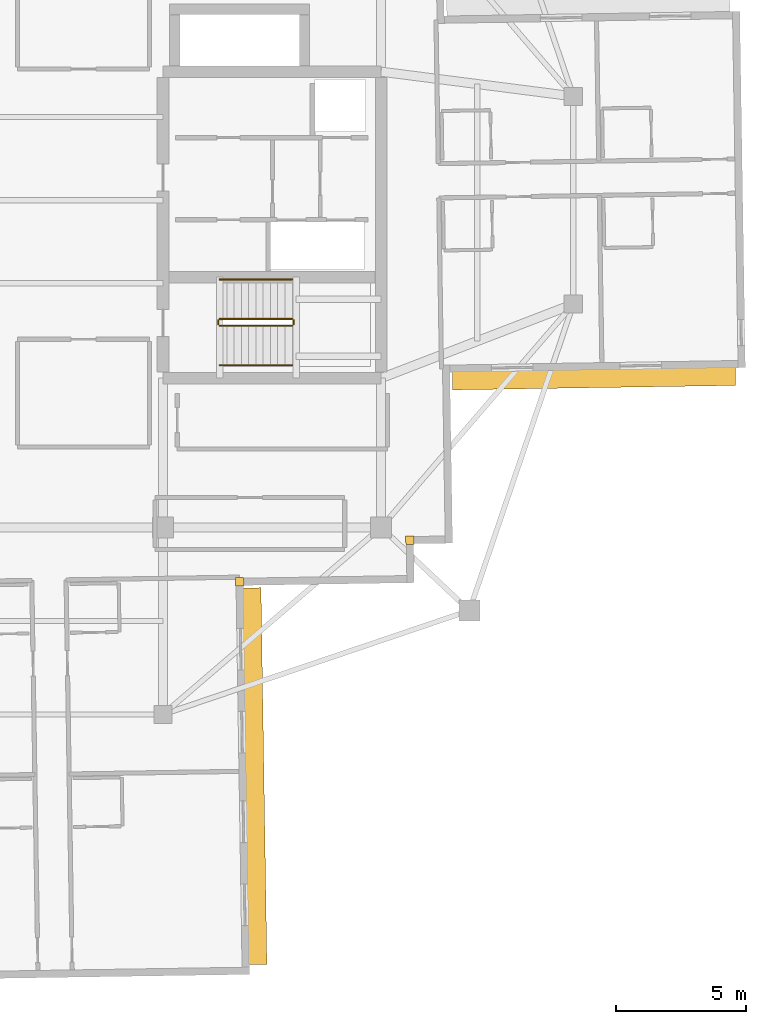
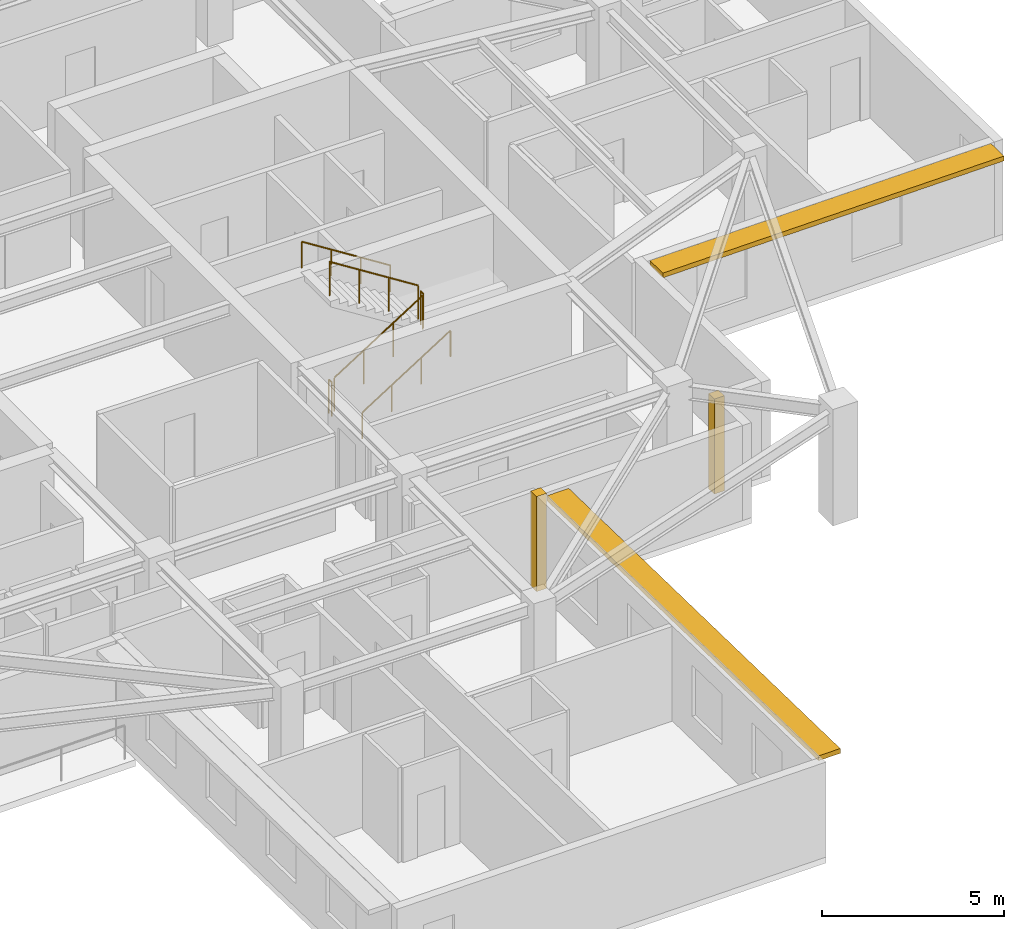
# One storey, part 10 of 12: 6 railings, 2 coverings, 2 shading devices.
"""IFC4 building model written with IfcOpenShell, lengths in metres."""

from ifc_helpers import new_model, si_unit, direction, frame, origin, origin_2d, place, context, subcontext, project, spatial, rectangle, circle, extrude, material, layer, layer_set, type_object, element, save


model = new_model("IFC4")

# Units and contexts
model_context = context("Model", 3, precision=1e-05, world=origin(), true_north=direction((0.0, 1.0)))
body_context = subcontext(model_context, "Body", "Model", "MODEL_VIEW")
ifc_project = project(units=[si_unit("LENGTHUNIT", "METRE"), si_unit("AREAUNIT", "SQUARE_METRE"), si_unit("VOLUMEUNIT", "CUBIC_METRE"), si_unit("PLANEANGLEUNIT", "RADIAN"), si_unit("MASSUNIT", "GRAM", prefix="KILO")], contexts=[model_context])

# Site, building, storey
site_placement = place(None, origin())
site = spatial("IfcSite", under=ifc_project, at=site_placement, CompositionType="ELEMENT")
building_placement = place(site_placement, origin())
building = spatial("IfcBuilding", under=site, at=building_placement, Name="Qingluan Cross Belvedere", CompositionType="ELEMENT")
storey_placement = place(building_placement, frame((0.0, 0.0, 269.39990234375)))
storey = spatial("IfcBuildingStorey", under=building, at=storey_placement, Name="L67", CompositionType="ELEMENT", Elevation=269.39990234375)

# Coverings
ifc_material_1 = material(Name="Precast concrete C45", Category="concrete")
ifc_layer_1 = layer(ifc_material_1, 0.1201171875, Name="ConcreteSpandrelCladding_120")
ifc_layer_set_1 = layer_set([ifc_layer_1], Name="Precast concrete C45")
covering_type = type_object("IfcCoveringType", Name="ConcreteSpandrelCladding_120", PredefinedType="CLADDING", material=ifc_layer_set_1)
for number, where, z_axis, x_axis, name in (
    (1, (13.50732421875, -13.089599609375, 0.0), (0.0, 0.0, 1.0), (0.999876632482, 0.015707317312, 0.0), "Corner closure L67-SE1"),
    (2, (6.95166015625, -14.692626953125, 0.0), (0.0, 0.0, 1.0), (0.999876632482, 0.015707317312, 0.0), "Corner closure L67-SE2"),
):
    element("IfcCovering", number, at=place(storey_placement, frame(where, z_axis=z_axis, x_axis=x_axis)), inside=storey, type_object=covering_type, Name=name, PredefinedType="CLADDING", context=body_context, shape_type="SweptSolid", body=[
        extrude(rectangle(XDim=0.320068359375, YDim=0.320068359375, at=origin_2d()), origin(), (0.0, 0.0, 1.0), 3.179931640625),
    ])

# Shading devices
ifc_material_2 = material(Name="Precast concrete C45", Category="concrete")
ifc_layer_2 = layer(ifc_material_2, 0.139892578125, Name="ConcreteSunshadeBand_700")
ifc_layer_set_2 = layer_set([ifc_layer_2], Name="Precast concrete C45")
shading_device_type = type_object("IfcShadingDeviceType", Name="ConcreteSunshadeBand_700", PredefinedType="USERDEFINED", material=ifc_layer_set_2)
shading_device_1_placement = place(storey_placement, frame((20.600341796875, -6.8671875, 3.0), z_axis=(0.0, 0.0, 1.0), x_axis=(0.999876704265, 0.015702747155, 0.0)))
element("IfcShadingDevice", 3, at=shading_device_1_placement, inside=storey, type_object=shading_device_type, Name="Concrete SUNSHADE L67-EA", ObjectType="SUNSHADE", PredefinedType="USERDEFINED", context=body_context, shape_type="SweptSolid", body=[
    extrude(rectangle(XDim=10.89990234375, YDim=0.699951171875, at=origin_2d()), origin(), (0.0, 0.0, 1.0), 0.159912109375),
])
shading_device_2_placement = place(storey_placement, frame((7.539306640625, -22.17431640625, 3.0), z_axis=(0.0, 0.0, 1.0), x_axis=(-0.015707468526, 0.999876630106, 0.0)))
element("IfcShadingDevice", 4, at=shading_device_2_placement, inside=storey, type_object=shading_device_type, Name="Concrete SUNSHADE L67-SB", ObjectType="SUNSHADE", PredefinedType="USERDEFINED", context=body_context, shape_type="SweptSolid", body=[
    extrude(rectangle(XDim=14.5, YDim=0.699951171875, at=origin_2d()), origin(), (0.0, 0.0, 1.0), 0.159912109375),
])

# Railings
ifc_material_3 = material(Name="Brushed stainless steel tubular handrail", Category="steel")
railing_type_1 = type_object("IfcRailingType", Name="StairPitchHandrail_900", PredefinedType="HANDRAIL", material=ifc_material_3)
railing_1_placement = place(storey_placement, frame((6.179931640625, -6.35009765625, 0.177490234375)))
element("IfcRailing", 5, at=railing_1_placement, inside=storey, type_object=railing_type_1, Name="L67 ST2 stair handrail 1", PredefinedType="HANDRAIL", context=body_context, shape_type="SweptSolid", body=[
    extrude(circle(Radius=0.02392578125, at=origin_2d()), frame((0.0, 0.0, 0.8759765625), z_axis=(0.844908973607, 0.0, 0.534910110503), x_axis=(0.0, 1.0, 0.0)), (0.0, 0.0, 1.0), 3.31396484375),
    extrude(circle(Radius=0.02099609375, at=origin_2d()), origin(), (0.0, 0.0, 1.0), 0.851806640625),
    extrude(circle(Radius=0.02099609375, at=origin_2d()), frame((0.933349609375, 0.0, 0.5908203125)), (0.0, 0.0, 1.0), 0.851806640625),
    extrude(circle(Radius=0.02099609375, at=origin_2d()), frame((1.86669921875, 0.0, 1.181884765625)), (0.0, 0.0, 1.0), 0.851806640625),
    extrude(circle(Radius=0.02099609375, at=origin_2d()), frame((2.800048828125, 0.0, 1.772705078125)), (0.0, 0.0, 1.0), 0.851806640625),
])
railing_2_placement = place(storey_placement, frame((8.97998046875, -3.050048828125, 2.12744140625)))
element("IfcRailing", 6, at=railing_2_placement, inside=storey, type_object=railing_type_1, Name="L67 ST2 stair handrail 2", PredefinedType="HANDRAIL", context=body_context, shape_type="SweptSolid", body=[
    extrude(circle(Radius=0.02392578125, at=origin_2d()), frame((0.0, 0.0, 0.8759765625), z_axis=(-0.844908973607, 0.0, 0.534910110503), x_axis=(0.0, -1.0, 0.0)), (0.0, 0.0, 1.0), 3.31396484375),
    extrude(circle(Radius=0.02099609375, at=origin_2d()), origin(), (0.0, 0.0, 1.0), 0.851806640625),
    extrude(circle(Radius=0.02099609375, at=origin_2d()), frame((-0.933349609375, 0.0, 0.5908203125)), (0.0, 0.0, 1.0), 0.851806640625),
    extrude(circle(Radius=0.02099609375, at=origin_2d()), frame((-1.86669921875, 0.0, 1.181884765625)), (0.0, 0.0, 1.0), 0.851806640625),
    extrude(circle(Radius=0.02099609375, at=origin_2d()), frame((-2.800048828125, 0.0, 1.772705078125)), (0.0, 0.0, 1.0), 0.851806640625),
])
ifc_material_4 = material(Name="Painted steel stair well guard", Category="steel")
railing_type_2 = type_object("IfcRailingType", Name="StairWellGuard_1150", PredefinedType="BALUSTRADE", material=ifc_material_4)
railing_3_placement = place(storey_placement, frame((6.179931640625, -4.830078125, 0.177490234375)))
element("IfcRailing", 7, at=railing_3_placement, inside=storey, type_object=railing_type_2, Name="L67 ST2 stair guard 1", PredefinedType="BALUSTRADE", context=body_context, shape_type="SweptSolid", body=[
    extrude(circle(Radius=0.02392578125, at=origin_2d()), frame((0.0, 0.0, 1.1259765625), z_axis=(0.844908973607, 0.0, 0.534910110503), x_axis=(0.0, 1.0, 0.0)), (0.0, 0.0, 1.0), 3.31396484375),
    extrude(circle(Radius=0.02099609375, at=origin_2d()), origin(), (0.0, 0.0, 1.0), 1.101806640625),
    extrude(circle(Radius=0.02099609375, at=origin_2d()), frame((0.933349609375, 0.0, 0.5908203125)), (0.0, 0.0, 1.0), 1.101806640625),
    extrude(circle(Radius=0.02099609375, at=origin_2d()), frame((1.86669921875, 0.0, 1.181884765625)), (0.0, 0.0, 1.0), 1.101806640625),
    extrude(circle(Radius=0.02099609375, at=origin_2d()), frame((2.800048828125, 0.0, 1.772705078125)), (0.0, 0.0, 1.0), 1.101806640625),
])
railing_4_placement = place(storey_placement, frame((9.030029296875, -4.780029296875, 1.9501953125)))
element("IfcRailing", 8, at=railing_4_placement, inside=storey, type_object=railing_type_2, Name="L67 ST2 stair guard 2", PredefinedType="BALUSTRADE", context=body_context, shape_type="SweptSolid", body=[
    extrude(circle(Radius=0.02392578125, at=origin_2d()), frame((0.0, 0.0, 1.1259765625), z_axis=(0.0, 1.0, 0.0), x_axis=(-1.0, 0.0, 0.0)), (0.0, 0.0, 1.0), 0.159912109375),
    extrude(circle(Radius=0.02099609375, at=origin_2d()), origin(), (0.0, 0.0, 1.0), 1.101806640625),
    extrude(circle(Radius=0.02099609375, at=origin_2d()), frame((0.0, 0.159912109375, 0.0)), (0.0, 0.0, 1.0), 1.101806640625),
])
railing_5_placement = place(storey_placement, frame((8.97998046875, -4.570068359375, 2.12744140625)))
element("IfcRailing", 9, at=railing_5_placement, inside=storey, type_object=railing_type_2, Name="L67 ST2 stair guard 3", PredefinedType="BALUSTRADE", context=body_context, shape_type="SweptSolid", body=[
    extrude(circle(Radius=0.02392578125, at=origin_2d()), frame((0.0, 0.0, 1.1259765625), z_axis=(-0.844908973607, 0.0, 0.534910110503), x_axis=(0.0, -1.0, 0.0)), (0.0, 0.0, 1.0), 3.31396484375),
    extrude(circle(Radius=0.02099609375, at=origin_2d()), origin(), (0.0, 0.0, 1.0), 1.101806640625),
    extrude(circle(Radius=0.02099609375, at=origin_2d()), frame((-0.933349609375, 0.0, 0.5908203125)), (0.0, 0.0, 1.0), 1.101806640625),
    extrude(circle(Radius=0.02099609375, at=origin_2d()), frame((-1.86669921875, 0.0, 1.181884765625)), (0.0, 0.0, 1.0), 1.101806640625),
    extrude(circle(Radius=0.02099609375, at=origin_2d()), frame((-2.800048828125, 0.0, 1.772705078125)), (0.0, 0.0, 1.0), 1.101806640625),
])
railing_6_placement = place(storey_placement, frame((6.1298828125, -4.780029296875, 0.0)))
element("IfcRailing", 10, at=railing_6_placement, inside=storey, type_object=railing_type_2, Name="L67 ST2 stair guard 4", PredefinedType="BALUSTRADE", context=body_context, shape_type="SweptSolid", body=[
    extrude(circle(Radius=0.02392578125, at=origin_2d()), frame((0.0, 0.0, 1.1259765625), z_axis=(0.0, 1.0, 0.0), x_axis=(-1.0, 0.0, 0.0)), (0.0, 0.0, 1.0), 0.159912109375),
    extrude(circle(Radius=0.02099609375, at=origin_2d()), origin(), (0.0, 0.0, 1.0), 1.101806640625),
    extrude(circle(Radius=0.02099609375, at=origin_2d()), frame((0.0, 0.159912109375, 0.0)), (0.0, 0.0, 1.0), 1.101806640625),
])

save(model, "model.ifc")
